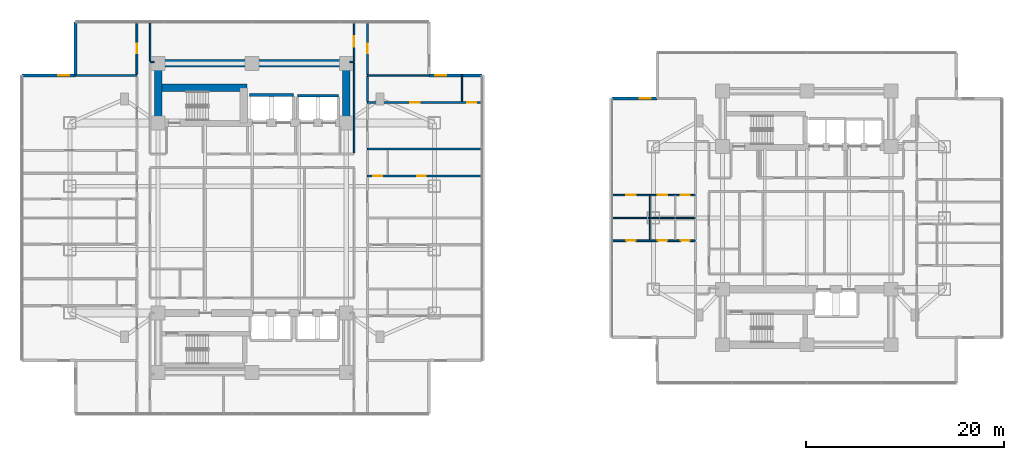
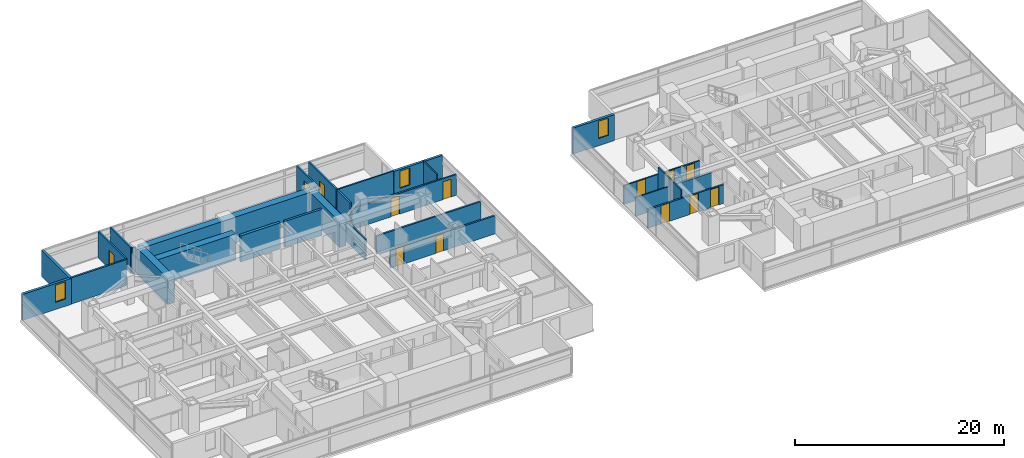
# One storey, part 17 of 26: 29 walls, 13 doors, 3 windows, 16 openings.
"""IFC4 building model written with IfcOpenShell, lengths in metres."""

from ifc_helpers import new_model, si_unit, direction, frame, frame_2d, origin, place, context, subcontext, project, spatial, rectangle, extrude, material, layer, layer_set, type_object, element, fill, save


model = new_model("IFC4")

# Units and contexts
model_context = context("Model", 3, precision=1e-05, world=origin(), true_north=direction((0.0, 1.0)))
body_context = subcontext(model_context, "Body", "Model", "MODEL_VIEW")
ifc_project = project(units=[si_unit("LENGTHUNIT", "METRE"), si_unit("AREAUNIT", "SQUARE_METRE"), si_unit("VOLUMEUNIT", "CUBIC_METRE"), si_unit("PLANEANGLEUNIT", "RADIAN"), si_unit("MASSUNIT", "GRAM", prefix="KILO")], contexts=[model_context])

# Site, building, storey
site_placement = place(None, origin())
site = spatial("IfcSite", under=ifc_project, at=site_placement, CompositionType="ELEMENT")
building_placement = place(site_placement, origin())
building = spatial("IfcBuilding", under=site, at=building_placement, Name="Mirazonda Arch Towers", CompositionType="ELEMENT")
storey_placement = place(building_placement, frame((0.0, 0.0, 48.800048828125)))
storey = spatial("IfcBuildingStorey", under=building, at=storey_placement, Name="L13", CompositionType="ELEMENT", Elevation=48.800048828125)

# Walls
ifc_material_1 = material(Name="Concrete C60/75", Category="concrete")
ifc_layer_1 = layer(ifc_material_1, 0.75, Name="WALL-CORE-750")
ifc_layer_set_1 = layer_set([ifc_layer_1], Name="Concrete C60/75")
wall_type_1 = type_object("IfcWallType", Name="WALL-CORE-750", PredefinedType="SHEAR", material=ifc_layer_set_1)
wall_1_placement = place(storey_placement, frame((11.0, 43.60009765625, 0.0), z_axis=(0.0, 0.0, 1.0), x_axis=(1.0, 0.0, 0.0)))
element("IfcWall", 1, at=wall_1_placement, inside=storey, type_object=wall_type_1, Name="L13 T1N-N Core Shear Wall", PredefinedType="SHEAR", context=body_context, shape_type="SweptSolid", body=[
    extrude(rectangle(XDim=19.0, YDim=0.75, at=frame_2d((9.5, 0.0))), origin(), (0.0, 0.0, 1.0), 3.06005859375),
])
for number, where, z_axis, x_axis, name in (
    (2, (11.0, 37.60009765625, 0.0), (0.0, 0.0, 1.0), (0.0, 1.0, 0.0), "L13 T1N-W Core Shear Wall"),
    (3, (30.0, 37.60009765625, 0.0), (0.0, 0.0, 1.0), (0.0, 1.0, 0.0), "L13 T1N-E Core Shear Wall"),
):
    element("IfcWall", number, at=place(storey_placement, frame(where, z_axis=z_axis, x_axis=x_axis)), inside=storey, type_object=wall_type_1, Name=name, PredefinedType="SHEAR", context=body_context, shape_type="SweptSolid", body=[
        extrude(rectangle(XDim=6.0, YDim=0.75, at=frame_2d((3.0, 0.0))), origin(), (0.0, 0.0, 1.0), 3.06005859375),
    ])
wall_2_placement = place(storey_placement, frame((11.0, 41.14306640625, 0.0), z_axis=(0.0, 0.0, 1.0), x_axis=(1.0, 0.0, 0.0)))
element("IfcWall", 4, at=wall_2_placement, inside=storey, type_object=wall_type_1, Name="L13 T1N-STN Core Shear Wall", PredefinedType="SHEAR", context=body_context, shape_type="SweptSolid", body=[
    extrude(rectangle(XDim=9.0, YDim=0.75, at=frame_2d((4.5, 0.0))), origin(), (0.0, 0.0, 1.0), 3.06005859375),
])

# Wall, opening, window
ifc_material_2 = material(Name="Precast Concrete C40/50", Category="concrete")
ifc_layer_2 = layer(ifc_material_2, 0.280029296875, Name="WALL-EXT-WALL-280")
ifc_layer_set_2 = layer_set([ifc_layer_2], Name="Precast Concrete C40/50")
wall_type_2 = type_object("IfcWallType", Name="WALL-EXT-WALL-280", PredefinedType="SOLIDWALL", material=ifc_layer_set_2)
wall_3_placement = place(storey_placement, frame((2.659912109375, 42.384033203125, 0.0), z_axis=(0.0, 0.0, 1.0), x_axis=(-1.0, 0.0, 0.0)))
wall_3 = element("IfcWall", 5, at=wall_3_placement, inside=storey, type_object=wall_type_2, Name="L13 T1 Corner Notch Return Wall WL-L13-T1-CNW1", PredefinedType="SOLIDWALL", context=body_context, shape_type="SweptSolid", body=[
    extrude(rectangle(XDim=5.3798828125, YDim=0.280029296875, at=frame_2d((2.68994140625, 0.0))), origin(), (0.0, 0.0, 1.0), 3.0400390625),
])
opening_1_placement = place(wall_3_placement, frame((0.64990234375, 0.0, 0.85009765625)))
opening_1 = element("IfcOpeningElement", 6, at=opening_1_placement, cuts=wall_3, Name="Opening WN-108", PredefinedType="OPENING", context=body_context, shape_type="SweptSolid", body=[
    extrude(rectangle(XDim=1.10009765625, YDim=2.0, at=frame_2d((0.550048828125, 1.0))), frame((0.0, 0.14990234375, 0.0), z_axis=(0.0, -1.0, 0.0), x_axis=(1.0, 0.0, 0.0)), (0.0, 0.0, 1.0), 0.300048828125),
])
ifc_material_3 = material(Name="Insulated Low-E Solar Glass", Category="glass")
window_type = type_object("IfcWindowType", Name="WIN-NOTCH-1100x2000", PartitioningType="SINGLE_PANEL", PredefinedType="WINDOW", material=ifc_material_3)
window_1_placement = place(opening_1_placement, origin())
window_1 = element("IfcWindow", 7, at=window_1_placement, inside=storey, type_object=window_type, Name="L13 Punched Facade Window WN-L13-T1-CNW1", OverallHeight=2.0, OverallWidth=1.10009765625, PartitioningType="SINGLE_PANEL", PredefinedType="WINDOW", context=body_context, shape_type="SweptSolid", body=[
    extrude(rectangle(XDim=1.10009765625, YDim=2.0, at=frame_2d((0.550048828125, 1.0))), frame((0.0, 0.030029296875, 0.0), z_axis=(0.0, -1.0, 0.0), x_axis=(1.0, 0.0, 0.0)), (0.0, 0.0, 1.0), 0.06005859375),
])
fill(opening_1, window_1)

# Wall
wall_4_placement = place(storey_placement, frame((2.659912109375, 47.763916015625, 0.0), z_axis=(0.0, 0.0, 1.0), x_axis=(0.0, -1.0, 0.0)))
element("IfcWall", 8, at=wall_4_placement, inside=storey, type_object=wall_type_2, Name="L13 T1 Corner Notch Return Wall WL-L13-T1-CNW2", PredefinedType="SOLIDWALL", context=body_context, shape_type="SweptSolid", body=[
    extrude(rectangle(XDim=5.3798828125, YDim=0.280029296875, at=frame_2d((2.68994140625, 0.0))), origin(), (0.0, 0.0, 1.0), 3.0400390625),
])

# Wall, opening, window
wall_5_placement = place(storey_placement, frame((43.719970703125, 42.384033203125, 0.0), z_axis=(0.0, 0.0, 1.0), x_axis=(-1.0, 0.0, 0.0)))
wall_5 = element("IfcWall", 9, at=wall_5_placement, inside=storey, type_object=wall_type_2, Name="L13 T1 Corner Notch Return Wall WL-L13-T1-CNE2", PredefinedType="SOLIDWALL", context=body_context, shape_type="SweptSolid", body=[
    extrude(rectangle(XDim=5.3798828125, YDim=0.280029296875, at=frame_2d((2.68994140625, 0.0))), origin(), (0.0, 0.0, 1.0), 3.0400390625),
])
opening_2_placement = place(wall_5_placement, frame((3.6298828125, 0.0, 0.85009765625)))
opening_2 = element("IfcOpeningElement", 10, at=opening_2_placement, cuts=wall_5, Name="Opening WN-108", PredefinedType="OPENING", context=body_context, shape_type="SweptSolid", body=[
    extrude(rectangle(XDim=1.10009765625, YDim=2.0, at=frame_2d((0.550048828125, 1.0))), frame((0.0, 0.14990234375, 0.0), z_axis=(0.0, -1.0, 0.0), x_axis=(1.0, 0.0, 0.0)), (0.0, 0.0, 1.0), 0.300048828125),
])
window_2_placement = place(opening_2_placement, origin())
window_2 = element("IfcWindow", 11, at=window_2_placement, inside=storey, type_object=window_type, Name="L13 Punched Facade Window WN-L13-T1-CNE2", OverallHeight=2.0, OverallWidth=1.10009765625, PartitioningType="SINGLE_PANEL", PredefinedType="WINDOW", context=body_context, shape_type="SweptSolid", body=[
    extrude(rectangle(XDim=1.10009765625, YDim=2.0, at=frame_2d((0.550048828125, 1.0))), frame((0.0, 0.030029296875, 0.0), z_axis=(0.0, -1.0, 0.0), x_axis=(1.0, 0.0, 0.0)), (0.0, 0.0, 1.0), 0.06005859375),
])
fill(opening_2, window_2)

wall_6_placement = place(storey_placement, frame((61.39599609375, 40.06640625, 0.0), z_axis=(0.0, 0.0, 1.0), x_axis=(-1.0, 0.0, 0.0)))
wall_6 = element("IfcWall", 12, at=wall_6_placement, inside=storey, type_object=wall_type_2, Name="L13 T2 Corner Notch Return Wall WL-L13-T2-CNW1", PredefinedType="SOLIDWALL", context=body_context, shape_type="SweptSolid", body=[
    extrude(rectangle(XDim=4.580078125, YDim=0.280029296875, at=frame_2d((2.2900390625, 0.0))), origin(), (0.0, 0.0, 1.0), 3.0400390625),
])
opening_3_placement = place(wall_6_placement, frame((0.64990234375, 0.0, 0.85009765625)))
opening_3 = element("IfcOpeningElement", 13, at=opening_3_placement, cuts=wall_6, Name="Opening WN-108", PredefinedType="OPENING", context=body_context, shape_type="SweptSolid", body=[
    extrude(rectangle(XDim=1.10009765625, YDim=2.0, at=frame_2d((0.550048828125, 1.0))), frame((0.0, 0.14990234375, 0.0), z_axis=(0.0, -1.0, 0.0), x_axis=(1.0, 0.0, 0.0)), (0.0, 0.0, 1.0), 0.300048828125),
])
window_3_placement = place(opening_3_placement, origin())
window_3 = element("IfcWindow", 14, at=window_3_placement, inside=storey, type_object=window_type, Name="L13 Punched Facade Window WN-L13-T2-CNW1", OverallHeight=2.0, OverallWidth=1.10009765625, PartitioningType="SINGLE_PANEL", PredefinedType="WINDOW", context=body_context, shape_type="SweptSolid", body=[
    extrude(rectangle(XDim=1.10009765625, YDim=2.0, at=frame_2d((0.550048828125, 1.0))), frame((0.0, 0.030029296875, 0.0), z_axis=(0.0, -1.0, 0.0), x_axis=(1.0, 0.0, 0.0)), (0.0, 0.0, 1.0), 0.06005859375),
])
fill(opening_3, window_3)

# Wall, openings, doors
ifc_material_4 = material(Name="Fire-Rated Gypsum Stud Partition")
ifc_layer_3 = layer(ifc_material_4, 0.14990234375, Name="WALL-PART-CORR-150")
ifc_layer_set_3 = layer_set([ifc_layer_3], Name="Fire-Rated Gypsum Stud Partition")
wall_type_3 = type_object("IfcWallType", Name="WALL-PART-CORR-150", PredefinedType="PARTITIONING", material=ifc_layer_set_3)
wall_7_placement = place(storey_placement, frame((56.81591796875, 30.300048828125, 0.0), z_axis=(0.0, 0.0, 1.0), x_axis=(1.0, 0.0, 0.0)))
wall_7 = element("IfcWall", 15, at=wall_7_placement, inside=storey, type_object=wall_type_3, Name="L13 Interior Partition 038", PredefinedType="PARTITIONING", context=body_context, shape_type="SweptSolid", body=[
    extrude(rectangle(XDim=8.43408203125, YDim=0.14990234375, at=frame_2d((4.217041015625, 0.0))), origin(), (0.0, 0.0, 1.0), 2.196044921875),
])
opening_4_placement = place(wall_7_placement, frame((1.462890625, 0.0, 0.0)))
opening_4 = element("IfcOpeningElement", 16, at=opening_4_placement, cuts=wall_7, Name="Opening DR-104", PredefinedType="OPENING", context=body_context, shape_type="SweptSolid", body=[
    extrude(rectangle(XDim=0.949951171875, YDim=2.14990234375, at=frame_2d((0.47509765625, 1.074951171875))), frame((0.0, 0.0849609375, 0.0), z_axis=(0.0, -1.0, 0.0), x_axis=(1.0, 0.0, 0.0)), (0.0, 0.0, 1.0), 0.169921875),
])
opening_5_placement = place(wall_7_placement, frame((4.639892578125, 0.0, 0.0)))
opening_5 = element("IfcOpeningElement", 17, at=opening_5_placement, cuts=wall_7, Name="Opening DR-104", PredefinedType="OPENING", context=body_context, shape_type="SweptSolid", body=[
    extrude(rectangle(XDim=0.949951171875, YDim=2.14990234375, at=frame_2d((0.47509765625, 1.074951171875))), frame((0.0, 0.0849609375, 0.0), z_axis=(0.0, -1.0, 0.0), x_axis=(1.0, 0.0, 0.0)), (0.0, 0.0, 1.0), 0.169921875),
])
opening_6_placement = place(wall_7_placement, frame((6.944091796875, 0.0, 0.0)))
opening_6 = element("IfcOpeningElement", 18, at=opening_6_placement, cuts=wall_7, Name="Opening DR-120", PredefinedType="OPENING", context=body_context, shape_type="SweptSolid", body=[
    extrude(rectangle(XDim=0.89990234375, YDim=2.10009765625, at=frame_2d((0.449951171875, 1.050048828125))), frame((0.0, 0.0849609375, 0.0), z_axis=(0.0, -1.0, 0.0), x_axis=(1.0, 0.0, 0.0)), (0.0, 0.0, 1.0), 0.169921875),
])
ifc_material_5 = material(Name="Architectural Brushed Steel S355", Category="steel")
door_type_1 = type_object("IfcDoorType", Name="DOOR-ROOM-950", OperationType="NOTDEFINED", PredefinedType="DOOR", material=ifc_material_5)
door_1_placement = place(opening_4_placement, origin())
door_1 = element("IfcDoor", 19, at=door_1_placement, inside=storey, type_object=door_type_1, Name="L13 Residence 2 Principal Bedroom Door", OperationType="SINGLE_SWING_LEFT", OverallHeight=2.14990234375, OverallWidth=0.949951171875, PredefinedType="DOOR", context=body_context, shape_type="SweptSolid", body=[
    extrude(rectangle(XDim=0.949951171875, YDim=2.14990234375, at=frame_2d((0.47509765625, 1.074951171875))), frame((0.0, 0.02490234375, 0.0), z_axis=(0.0, -1.0, 0.0), x_axis=(1.0, 0.0, 0.0)), (0.0, 0.0, 1.0), 0.050048828125),
])
fill(opening_4, door_1)
door_2_placement = place(opening_5_placement, origin())
door_2 = element("IfcDoor", 20, at=door_2_placement, inside=storey, type_object=door_type_1, Name="L13 Residence 2 Fitted Kitchen Door", OperationType="SINGLE_SWING_RIGHT", OverallHeight=2.14990234375, OverallWidth=0.949951171875, PredefinedType="DOOR", context=body_context, shape_type="SweptSolid", body=[
    extrude(rectangle(XDim=0.949951171875, YDim=2.14990234375, at=frame_2d((0.47509765625, 1.074951171875))), frame((0.0, 0.02490234375, 0.0), z_axis=(0.0, -1.0, 0.0), x_axis=(1.0, 0.0, 0.0)), (0.0, 0.0, 1.0), 0.050048828125),
])
fill(opening_5, door_2)
door_type_2 = type_object("IfcDoorType", Name="DOOR-WC-900", OperationType="NOTDEFINED", PredefinedType="DOOR", material=ifc_material_5)
door_3_placement = place(opening_6_placement, origin())
door_3 = element("IfcDoor", 21, at=door_3_placement, inside=storey, type_object=door_type_2, Name="L13 Residence 2 Bathroom Door", OperationType="SINGLE_SWING_LEFT", OverallHeight=2.10009765625, OverallWidth=0.89990234375, PredefinedType="DOOR", context=body_context, shape_type="SweptSolid", body=[
    extrude(rectangle(XDim=0.89990234375, YDim=2.10009765625, at=frame_2d((0.449951171875, 1.050048828125))), frame((0.0, 0.02490234375, 0.0), z_axis=(0.0, -1.0, 0.0), x_axis=(1.0, 0.0, 0.0)), (0.0, 0.0, 1.0), 0.050048828125),
])
fill(opening_6, door_3)

# Walls
wall_8_placement = place(storey_placement, frame((32.139892578125, 42.384033203125, 0.0), z_axis=(0.0, 0.0, 1.0), x_axis=(1.0, 0.0, 0.0)))
element("IfcWall", 22, at=wall_8_placement, inside=storey, type_object=wall_type_3, Name="L13 Interior Partition 062", PredefinedType="PARTITIONING", context=body_context, shape_type="SweptSolid", body=[
    extrude(rectangle(XDim=6.18017578125, YDim=0.14990234375, at=frame_2d((3.090087890625, 0.0))), origin(), (0.0, 0.0, 1.0), 3.06005859375),
])
for number, where, z_axis, x_axis, name in (
    (23, (10.199951171875, 43.75, 0.0), (0.0, 0.0, 1.0), (1.0, 0.0, 0.0), "L13 Interior Partition 063"),
    (24, (30.3701171875, 43.75, 0.0), (0.0, 0.0, 1.0), (1.0, 0.0, 0.0), "L13 Interior Partition 064"),
):
    element("IfcWall", number, at=place(storey_placement, frame(where, z_axis=z_axis, x_axis=x_axis)), inside=storey, type_object=wall_type_3, Name=name, PredefinedType="PARTITIONING", context=body_context, shape_type="SweptSolid", body=[
        extrude(rectangle(XDim=0.429931640625, YDim=0.14990234375, at=frame_2d((0.21484375, 0.0))), origin(), (0.0, 0.0, 1.0), 3.06005859375),
    ])
wall_9_placement = place(storey_placement, frame((10.199951171875, 43.8349609375, 0.0), z_axis=(0.0, 0.0, 1.0), x_axis=(0.0, 1.0, 0.0)))
element("IfcWall", 25, at=wall_9_placement, inside=storey, type_object=wall_type_3, Name="L13 Interior Partition 084", PredefinedType="PARTITIONING", context=body_context, shape_type="SweptSolid", body=[
    extrude(rectangle(XDim=3.928955078125, YDim=0.14990234375, at=frame_2d((1.96435546875, 0.0))), origin(), (0.0, 0.0, 1.0), 3.06005859375),
])
wall_10_placement = place(storey_placement, frame((30.800048828125, 34.570068359375, 0.0), z_axis=(0.0, 0.0, 1.0), x_axis=(0.0, 1.0, 0.0)))
element("IfcWall", 26, at=wall_10_placement, inside=storey, type_object=wall_type_3, Name="L13 Interior Partition 108", PredefinedType="PARTITIONING", context=body_context, shape_type="SweptSolid", body=[
    extrude(rectangle(XDim=9.094970703125, YDim=0.14990234375, at=frame_2d((4.54736328125, 0.0))), origin(), (0.0, 0.0, 1.0), 2.43603515625),
])

# Wall, opening, door
wall_11_placement = place(storey_placement, frame((30.800048828125, 43.8349609375, 0.0), z_axis=(0.0, 0.0, 1.0), x_axis=(0.0, 1.0, 0.0)))
wall_11 = element("IfcWall", 27, at=wall_11_placement, inside=storey, type_object=wall_type_3, Name="L13 Interior Partition 109", PredefinedType="PARTITIONING", context=body_context, shape_type="SweptSolid", body=[
    extrude(rectangle(XDim=3.928955078125, YDim=0.14990234375, at=frame_2d((1.96435546875, 0.0))), origin(), (0.0, 0.0, 1.0), 3.06005859375),
])
opening_7_placement = place(wall_11_placement, frame((1.439453125, 0.0, 0.0)))
opening_7 = element("IfcOpeningElement", 28, at=opening_7_placement, cuts=wall_11, Name="Opening DR-121", PredefinedType="OPENING", context=body_context, shape_type="SweptSolid", body=[
    extrude(rectangle(XDim=1.050048828125, YDim=2.199951171875, at=frame_2d((0.52490234375, 1.10009765625))), frame((0.0, 0.0849609375, 0.0), z_axis=(0.0, -1.0, 0.0), x_axis=(1.0, 0.0, 0.0)), (0.0, 0.0, 1.0), 0.169921875),
])
door_type_3 = type_object("IfcDoorType", Name="DOOR-SUITE-FD60-1050", OperationType="NOTDEFINED", PredefinedType="DOOR", material=ifc_material_5)
door_4_placement = place(opening_7_placement, origin())
door_4 = element("IfcDoor", 29, at=door_4_placement, inside=storey, type_object=door_type_3, Name="L13 North Reading Salon Suite Door", OperationType="SINGLE_SWING_LEFT", OverallHeight=2.199951171875, OverallWidth=1.050048828125, PredefinedType="DOOR", context=body_context, shape_type="SweptSolid", body=[
    extrude(rectangle(XDim=1.050048828125, YDim=2.199951171875, at=frame_2d((0.52490234375, 1.10009765625))), frame((0.0, 0.02490234375, 0.0), z_axis=(0.0, -1.0, 0.0), x_axis=(1.0, 0.0, 0.0)), (0.0, 0.0, 1.0), 0.050048828125),
])
fill(opening_7, door_4)

# Wall, openings, doors
ifc_material_6 = material(Name="Fire-Rated Gypsum Twin-Stud Assembly")
ifc_layer_4 = layer(ifc_material_6, 0.179931640625, Name="WALL-PART-DEMISE-180")
ifc_layer_set_4 = layer_set([ifc_layer_4], Name="Fire-Rated Gypsum Twin-Stud Assembly")
wall_type_4 = type_object("IfcWallType", Name="WALL-PART-DEMISE-180", PredefinedType="PARTITIONING", material=ifc_layer_set_4)
wall_12_placement = place(storey_placement, frame((56.81591796875, 25.699951171875, 0.0), z_axis=(0.0, 0.0, 1.0), x_axis=(1.0, 0.0, 0.0)))
wall_12 = element("IfcWall", 30, at=wall_12_placement, inside=storey, type_object=wall_type_4, Name="L13 Interior Partition 031", PredefinedType="PARTITIONING", context=body_context, shape_type="SweptSolid", body=[
    extrude(rectangle(XDim=8.43408203125, YDim=0.179931640625, at=frame_2d((4.217041015625, 0.0))), origin(), (0.0, 0.0, 1.0), 2.196044921875),
])
opening_8_placement = place(wall_12_placement, frame((1.462890625, 0.0, 0.0)))
opening_8 = element("IfcOpeningElement", 31, at=opening_8_placement, cuts=wall_12, Name="Opening DR-104", PredefinedType="OPENING", context=body_context, shape_type="SweptSolid", body=[
    extrude(rectangle(XDim=0.949951171875, YDim=2.14990234375, at=frame_2d((0.47509765625, 1.074951171875))), frame((0.0, 0.099853515625, 0.0), z_axis=(0.0, -1.0, 0.0), x_axis=(1.0, 0.0, 0.0)), (0.0, 0.0, 1.0), 0.199951171875),
])
opening_9_placement = place(wall_12_placement, frame((4.639892578125, 0.0, 0.0)))
opening_9 = element("IfcOpeningElement", 32, at=opening_9_placement, cuts=wall_12, Name="Opening DR-104", PredefinedType="OPENING", context=body_context, shape_type="SweptSolid", body=[
    extrude(rectangle(XDim=0.949951171875, YDim=2.14990234375, at=frame_2d((0.47509765625, 1.074951171875))), frame((0.0, 0.099853515625, 0.0), z_axis=(0.0, -1.0, 0.0), x_axis=(1.0, 0.0, 0.0)), (0.0, 0.0, 1.0), 0.199951171875),
])
opening_10_placement = place(wall_12_placement, frame((6.944091796875, 0.0, 0.0)))
opening_10 = element("IfcOpeningElement", 33, at=opening_10_placement, cuts=wall_12, Name="Opening DR-120", PredefinedType="OPENING", context=body_context, shape_type="SweptSolid", body=[
    extrude(rectangle(XDim=0.89990234375, YDim=2.10009765625, at=frame_2d((0.449951171875, 1.050048828125))), frame((0.0, 0.099853515625, 0.0), z_axis=(0.0, -1.0, 0.0), x_axis=(1.0, 0.0, 0.0)), (0.0, 0.0, 1.0), 0.199951171875),
])
door_5_placement = place(opening_8_placement, origin())
door_5 = element("IfcDoor", 34, at=door_5_placement, inside=storey, type_object=door_type_1, Name="L13 Residence 1 Principal Bedroom Door", OperationType="SINGLE_SWING_LEFT", OverallHeight=2.14990234375, OverallWidth=0.949951171875, PredefinedType="DOOR", context=body_context, shape_type="SweptSolid", body=[
    extrude(rectangle(XDim=0.949951171875, YDim=2.14990234375, at=frame_2d((0.47509765625, 1.074951171875))), frame((0.0, 0.02490234375, 0.0), z_axis=(0.0, -1.0, 0.0), x_axis=(1.0, 0.0, 0.0)), (0.0, 0.0, 1.0), 0.050048828125),
])
fill(opening_8, door_5)
door_6_placement = place(opening_9_placement, origin())
door_6 = element("IfcDoor", 35, at=door_6_placement, inside=storey, type_object=door_type_1, Name="L13 Residence 1 Fitted Kitchen Door", OperationType="SINGLE_SWING_RIGHT", OverallHeight=2.14990234375, OverallWidth=0.949951171875, PredefinedType="DOOR", context=body_context, shape_type="SweptSolid", body=[
    extrude(rectangle(XDim=0.949951171875, YDim=2.14990234375, at=frame_2d((0.47509765625, 1.074951171875))), frame((0.0, 0.02490234375, 0.0), z_axis=(0.0, -1.0, 0.0), x_axis=(1.0, 0.0, 0.0)), (0.0, 0.0, 1.0), 0.050048828125),
])
fill(opening_9, door_6)
door_7_placement = place(opening_10_placement, origin())
door_7 = element("IfcDoor", 36, at=door_7_placement, inside=storey, type_object=door_type_2, Name="L13 Residence 1 Bathroom Door", OperationType="SINGLE_SWING_LEFT", OverallHeight=2.10009765625, OverallWidth=0.89990234375, PredefinedType="DOOR", context=body_context, shape_type="SweptSolid", body=[
    extrude(rectangle(XDim=0.89990234375, YDim=2.10009765625, at=frame_2d((0.449951171875, 1.050048828125))), frame((0.0, 0.02490234375, 0.0), z_axis=(0.0, -1.0, 0.0), x_axis=(1.0, 0.0, 0.0)), (0.0, 0.0, 1.0), 0.050048828125),
])
fill(opening_10, door_7)

wall_13_placement = place(storey_placement, frame((32.139892578125, 32.239013671875, 0.0), z_axis=(0.0, 0.0, 1.0), x_axis=(1.0, 0.0, 0.0)))
wall_13 = element("IfcWall", 37, at=wall_13_placement, inside=storey, type_object=wall_type_4, Name="L13 Interior Partition 043", PredefinedType="PARTITIONING", context=body_context, shape_type="SweptSolid", body=[
    extrude(rectangle(XDim=11.580078125, YDim=0.179931640625, at=frame_2d((5.7900390625, 0.0))), origin(), (0.0, 0.0, 1.0), 2.125),
])
opening_11_placement = place(wall_13_placement, frame((5.014892578125, 0.0, 0.0)))
opening_11 = element("IfcOpeningElement", 38, at=opening_11_placement, cuts=wall_13, Name="Opening DR-128", PredefinedType="OPENING", context=body_context, shape_type="SweptSolid", body=[
    extrude(rectangle(XDim=0.85009765625, YDim=2.010009765625, at=frame_2d((0.425048828125, 1.0048828125))), frame((0.0, 0.099853515625, 0.0), z_axis=(0.0, -1.0, 0.0), x_axis=(1.0, 0.0, 0.0)), (0.0, 0.0, 1.0), 0.199951171875),
])
opening_12_placement = place(wall_13_placement, frame((0.590087890625, 0.0, 0.0)))
opening_12 = element("IfcOpeningElement", 39, at=opening_12_placement, cuts=wall_13, Name="Opening DR-120", PredefinedType="OPENING", context=body_context, shape_type="SweptSolid", body=[
    extrude(rectangle(XDim=0.89990234375, YDim=2.10009765625, at=frame_2d((0.449951171875, 1.050048828125))), frame((0.0, 0.099853515625, 0.0), z_axis=(0.0, -1.0, 0.0), x_axis=(1.0, 0.0, 0.0)), (0.0, 0.0, 1.0), 0.199951171875),
])
door_type_4 = type_object("IfcDoorType", Name="DOOR-RISER-FD60-850", OperationType="NOTDEFINED", PredefinedType="DOOR", material=ifc_material_5)
door_8_placement = place(opening_11_placement, origin())
door_8 = element("IfcDoor", 40, at=door_8_placement, inside=storey, type_object=door_type_4, Name="L13 Guestroom Study 3 Door", OperationType="SINGLE_SWING_LEFT", OverallHeight=2.010009765625, OverallWidth=0.85009765625, PredefinedType="DOOR", context=body_context, shape_type="SweptSolid", body=[
    extrude(rectangle(XDim=0.85009765625, YDim=2.010009765625, at=frame_2d((0.425048828125, 1.0048828125))), frame((0.0, 0.02490234375, 0.0), z_axis=(0.0, -1.0, 0.0), x_axis=(1.0, 0.0, 0.0)), (0.0, 0.0, 1.0), 0.050048828125),
])
fill(opening_11, door_8)
door_9_placement = place(opening_12_placement, origin())
door_9 = element("IfcDoor", 41, at=door_9_placement, inside=storey, type_object=door_type_2, Name="L13 En-Suite Bathroom 3 Door", OperationType="SINGLE_SWING_RIGHT", OverallHeight=2.10009765625, OverallWidth=0.89990234375, PredefinedType="DOOR", context=body_context, shape_type="SweptSolid", body=[
    extrude(rectangle(XDim=0.89990234375, YDim=2.10009765625, at=frame_2d((0.449951171875, 1.050048828125))), frame((0.0, 0.02490234375, 0.0), z_axis=(0.0, -1.0, 0.0), x_axis=(1.0, 0.0, 0.0)), (0.0, 0.0, 1.0), 0.050048828125),
])
fill(opening_12, door_9)

# Wall
wall_14_placement = place(storey_placement, frame((32.139892578125, 34.958984375, 0.0), z_axis=(0.0, 0.0, 1.0), x_axis=(1.0, 0.0, 0.0)))
element("IfcWall", 42, at=wall_14_placement, inside=storey, type_object=wall_type_4, Name="L13 Interior Partition 049", PredefinedType="PARTITIONING", context=body_context, shape_type="SweptSolid", body=[
    extrude(rectangle(XDim=11.580078125, YDim=0.179931640625, at=frame_2d((5.7900390625, 0.0))), origin(), (0.0, 0.0, 1.0), 2.125),
])

# Wall, openings, doors
wall_15_placement = place(storey_placement, frame((32.139892578125, 39.6640625, 0.0), z_axis=(0.0, 0.0, 1.0), x_axis=(1.0, 0.0, 0.0)))
wall_15 = element("IfcWall", 43, at=wall_15_placement, inside=storey, type_object=wall_type_4, Name="L13 Interior Partition 056", PredefinedType="PARTITIONING", context=body_context, shape_type="SweptSolid", body=[
    extrude(rectangle(XDim=11.580078125, YDim=0.179931640625, at=frame_2d((5.7900390625, 0.0))), origin(), (0.0, 0.0, 1.0), 2.43603515625),
])
opening_13_placement = place(wall_15_placement, frame((4.31494140625, 0.0, 0.0)))
opening_13 = element("IfcOpeningElement", 44, at=opening_13_placement, cuts=wall_15, Name="Opening DR-104", PredefinedType="OPENING", context=body_context, shape_type="SweptSolid", body=[
    extrude(rectangle(XDim=0.949951171875, YDim=2.14990234375, at=frame_2d((0.47509765625, 1.074951171875))), frame((0.0, 0.099853515625, 0.0), z_axis=(0.0, -1.0, 0.0), x_axis=(1.0, 0.0, 0.0)), (0.0, 0.0, 1.0), 0.199951171875),
])
opening_14_placement = place(wall_15_placement, frame((10.090087890625, 0.0, 0.0)))
opening_14 = element("IfcOpeningElement", 45, at=opening_14_placement, cuts=wall_15, Name="Opening DR-120", PredefinedType="OPENING", context=body_context, shape_type="SweptSolid", body=[
    extrude(rectangle(XDim=0.89990234375, YDim=2.10009765625, at=frame_2d((0.449951171875, 1.050048828125))), frame((0.0, 0.099853515625, 0.0), z_axis=(0.0, -1.0, 0.0), x_axis=(1.0, 0.0, 0.0)), (0.0, 0.0, 1.0), 0.199951171875),
])
door_10_placement = place(opening_13_placement, origin())
door_10 = element("IfcDoor", 46, at=door_10_placement, inside=storey, type_object=door_type_1, Name="L13 Guestroom Study 4 Door", OperationType="SINGLE_SWING_RIGHT", OverallHeight=2.14990234375, OverallWidth=0.949951171875, PredefinedType="DOOR", context=body_context, shape_type="SweptSolid", body=[
    extrude(rectangle(XDim=0.949951171875, YDim=2.14990234375, at=frame_2d((0.47509765625, 1.074951171875))), frame((0.0, 0.02490234375, 0.0), z_axis=(0.0, -1.0, 0.0), x_axis=(1.0, 0.0, 0.0)), (0.0, 0.0, 1.0), 0.050048828125),
])
fill(opening_13, door_10)
door_11_placement = place(opening_14_placement, origin())
door_11 = element("IfcDoor", 47, at=door_11_placement, inside=storey, type_object=door_type_2, Name="L13 En-Suite Bathroom 4 Door", OperationType="SINGLE_SWING_LEFT", OverallHeight=2.10009765625, OverallWidth=0.89990234375, PredefinedType="DOOR", context=body_context, shape_type="SweptSolid", body=[
    extrude(rectangle(XDim=0.89990234375, YDim=2.10009765625, at=frame_2d((0.449951171875, 1.050048828125))), frame((0.0, 0.02490234375, 0.0), z_axis=(0.0, -1.0, 0.0), x_axis=(1.0, 0.0, 0.0)), (0.0, 0.0, 1.0), 0.050048828125),
])
fill(opening_14, door_11)

# Wall
wall_16_placement = place(storey_placement, frame((2.679931640625, 42.384033203125, 0.0), z_axis=(0.0, 0.0, 1.0), x_axis=(1.0, 0.0, 0.0)))
element("IfcWall", 48, at=wall_16_placement, inside=storey, type_object=wall_type_4, Name="L13 Interior Partition 061", PredefinedType="PARTITIONING", context=body_context, shape_type="SweptSolid", body=[
    extrude(rectangle(XDim=6.18017578125, YDim=0.179931640625, at=frame_2d((3.090087890625, 0.0))), origin(), (0.0, 0.0, 1.0), 3.06005859375),
])

# Wall, opening, door
wall_17_placement = place(storey_placement, frame((8.860107421875, 42.48388671875, 0.0), z_axis=(0.0, 0.0, 1.0), x_axis=(0.0, 1.0, 0.0)))
wall_17 = element("IfcWall", 49, at=wall_17_placement, inside=storey, type_object=wall_type_4, Name="L13 Interior Partition 078", PredefinedType="PARTITIONING", context=body_context, shape_type="SweptSolid", body=[
    extrude(rectangle(XDim=5.280029296875, YDim=0.179931640625, at=frame_2d((2.64013671875, 0.0))), origin(), (0.0, 0.0, 1.0), 3.06005859375),
])
opening_15_placement = place(wall_17_placement, frame((2.1650390625, 0.0, 0.0)))
opening_15 = element("IfcOpeningElement", 50, at=opening_15_placement, cuts=wall_17, Name="Opening DR-104", PredefinedType="OPENING", context=body_context, shape_type="SweptSolid", body=[
    extrude(rectangle(XDim=0.949951171875, YDim=2.14990234375, at=frame_2d((0.47509765625, 1.074951171875))), frame((0.0, 0.099853515625, 0.0), z_axis=(0.0, -1.0, 0.0), x_axis=(1.0, 0.0, 0.0)), (0.0, 0.0, 1.0), 0.199951171875),
])
door_12_placement = place(opening_15_placement, origin())
door_12 = element("IfcDoor", 51, at=door_12_placement, inside=storey, type_object=door_type_1, Name="L13 North Reading Salon Alcove West Door", OperationType="SINGLE_SWING_RIGHT", OverallHeight=2.14990234375, OverallWidth=0.949951171875, PredefinedType="DOOR", context=body_context, shape_type="SweptSolid", body=[
    extrude(rectangle(XDim=0.949951171875, YDim=2.14990234375, at=frame_2d((0.47509765625, 1.074951171875))), frame((0.0, 0.02490234375, 0.0), z_axis=(0.0, -1.0, 0.0), x_axis=(1.0, 0.0, 0.0)), (0.0, 0.0, 1.0), 0.050048828125),
])
fill(opening_15, door_12)

# Wall
wall_18_placement = place(storey_placement, frame((32.139892578125, 39.763916015625, 0.0), z_axis=(0.0, 0.0, 1.0), x_axis=(0.0, 1.0, 0.0)))
element("IfcWall", 52, at=wall_18_placement, inside=storey, type_object=wall_type_4, Name="L13 Interior Partition 118", PredefinedType="PARTITIONING", context=body_context, shape_type="SweptSolid", body=[
    extrude(rectangle(XDim=2.53515625, YDim=0.179931640625, at=frame_2d((1.267578125, 0.0))), origin(), (0.0, 0.0, 1.0), 3.06005859375),
])

# Wall, opening, door
wall_19_placement = place(storey_placement, frame((32.139892578125, 42.468994140625, 0.0), z_axis=(0.0, 0.0, 1.0), x_axis=(0.0, 1.0, 0.0)))
wall_19 = element("IfcWall", 53, at=wall_19_placement, inside=storey, type_object=wall_type_4, Name="L13 Interior Partition 119", PredefinedType="PARTITIONING", context=body_context, shape_type="SweptSolid", body=[
    extrude(rectangle(XDim=5.294921875, YDim=0.179931640625, at=frame_2d((2.6474609375, 0.0))), origin(), (0.0, 0.0, 1.0), 3.06005859375),
])
opening_16_placement = place(wall_19_placement, frame((2.172607421875, 0.0, 0.0)))
opening_16 = element("IfcOpeningElement", 54, at=opening_16_placement, cuts=wall_19, Name="Opening DR-104", PredefinedType="OPENING", context=body_context, shape_type="SweptSolid", body=[
    extrude(rectangle(XDim=0.949951171875, YDim=2.14990234375, at=frame_2d((0.47509765625, 1.074951171875))), frame((0.0, 0.099853515625, 0.0), z_axis=(0.0, -1.0, 0.0), x_axis=(1.0, 0.0, 0.0)), (0.0, 0.0, 1.0), 0.199951171875),
])
door_13_placement = place(opening_16_placement, origin())
door_13 = element("IfcDoor", 55, at=door_13_placement, inside=storey, type_object=door_type_1, Name="L13 North Reading Salon Alcove East Door", OperationType="SINGLE_SWING_LEFT", OverallHeight=2.14990234375, OverallWidth=0.949951171875, PredefinedType="DOOR", context=body_context, shape_type="SweptSolid", body=[
    extrude(rectangle(XDim=0.949951171875, YDim=2.14990234375, at=frame_2d((0.47509765625, 1.074951171875))), frame((0.0, 0.02490234375, 0.0), z_axis=(0.0, -1.0, 0.0), x_axis=(1.0, 0.0, 0.0)), (0.0, 0.0, 1.0), 0.050048828125),
])
fill(opening_16, door_13)

# Walls
ifc_material_7 = material(Name="Acoustic Fire-Rated Gypsum Partition")
ifc_layer_5 = layer(ifc_material_7, 0.125, Name="WALL-PART-UNIT-125")
ifc_layer_set_5 = layer_set([ifc_layer_5], Name="Acoustic Fire-Rated Gypsum Partition")
wall_type_5 = type_object("IfcWallType", Name="WALL-PART-UNIT-125", PredefinedType="PARTITIONING", material=ifc_layer_set_5)
wall_20_placement = place(storey_placement, frame((56.81591796875, 28.0, 0.0), z_axis=(0.0, 0.0, 1.0), x_axis=(1.0, 0.0, 0.0)))
element("IfcWall", 56, at=wall_20_placement, inside=storey, type_object=wall_type_5, Name="L13 Interior Partition 035", PredefinedType="PARTITIONING", context=body_context, shape_type="SweptSolid", body=[
    extrude(rectangle(XDim=8.43408203125, YDim=0.125, at=frame_2d((4.217041015625, 0.0))), origin(), (0.0, 0.0, 1.0), 2.196044921875),
])
wall_21_placement = place(storey_placement, frame((41.679931640625, 39.763916015625, 0.0), z_axis=(0.0, 0.0, 1.0), x_axis=(0.0, 1.0, 0.0)))
element("IfcWall", 57, at=wall_21_placement, inside=storey, type_object=wall_type_5, Name="L13 Interior Partition 123", PredefinedType="PARTITIONING", context=body_context, shape_type="SweptSolid", body=[
    extrude(rectangle(XDim=2.6201171875, YDim=0.125, at=frame_2d((1.31005859375, 0.0))), origin(), (0.0, 0.0, 1.0), 3.06005859375),
])
wall_22_placement = place(storey_placement, frame((60.652099609375, 25.800048828125, 0.0), z_axis=(0.0, 0.0, 1.0), x_axis=(0.0, 1.0, 0.0)))
element("IfcWall", 58, at=wall_22_placement, inside=storey, type_object=wall_type_5, Name="L13 Interior Partition 124", PredefinedType="PARTITIONING", context=body_context, shape_type="SweptSolid", body=[
    extrude(rectangle(XDim=2.12744140625, YDim=0.125, at=frame_2d((1.063720703125, 0.0))), origin(), (0.0, 0.0, 1.0), 3.06005859375),
])
wall_23_placement = place(storey_placement, frame((60.652099609375, 28.072509765625, 0.0), z_axis=(0.0, 0.0, 1.0), x_axis=(0.0, 1.0, 0.0)))
element("IfcWall", 59, at=wall_23_placement, inside=storey, type_object=wall_type_5, Name="L13 Interior Partition 125", PredefinedType="PARTITIONING", context=body_context, shape_type="SweptSolid", body=[
    extrude(rectangle(XDim=2.142578125, YDim=0.125, at=frame_2d((1.0712890625, 0.0))), origin(), (0.0, 0.0, 1.0), 3.06005859375),
])
ifc_material_8 = material(Name="Concrete C40/50", Category="concrete")
ifc_layer_6 = layer(ifc_material_8, 0.25, Name="WALL-SHAFT-250")
ifc_layer_set_6 = layer_set([ifc_layer_6], Name="Concrete C40/50")
wall_type_6 = type_object("IfcWallType", Name="WALL-SHAFT-250", PredefinedType="SOLIDWALL", material=ifc_layer_set_6)
wall_24_placement = place(storey_placement, frame((25.10009765625, 40.35009765625, 0.0), z_axis=(0.0, 0.0, 1.0), x_axis=(1.0, 0.0, 0.0)))
element("IfcWall", 60, at=wall_24_placement, inside=storey, type_object=wall_type_6, Name="L13 Interior Partition 059", PredefinedType="SOLIDWALL", context=body_context, shape_type="SweptSolid", body=[
    extrude(rectangle(XDim=4.099853515625, YDim=0.25, at=frame_2d((2.0498046875, 0.0))), origin(), (0.0, 0.0, 1.0), 3.06005859375),
])
ifc_material_9 = material(Name="Concrete C50/60", Category="concrete")
ifc_layer_7 = layer(ifc_material_9, 0.300048828125, Name="WALL-SHAFT-300")
ifc_layer_set_7 = layer_set([ifc_layer_7], Name="Concrete C50/60")
wall_type_7 = type_object("IfcWallType", Name="WALL-SHAFT-300", PredefinedType="SOLIDWALL", material=ifc_layer_set_7)
wall_25_placement = place(storey_placement, frame((20.25, 40.39990234375, 0.0), z_axis=(0.0, 0.0, 1.0), x_axis=(1.0, 0.0, 0.0)))
element("IfcWall", 61, at=wall_25_placement, inside=storey, type_object=wall_type_7, Name="L13 Interior Partition 060", PredefinedType="SOLIDWALL", context=body_context, shape_type="SweptSolid", body=[
    extrude(rectangle(XDim=4.39990234375, YDim=0.300048828125, at=frame_2d((2.199951171875, 0.0))), origin(), (0.0, 0.0, 1.0), 3.06005859375),
])

save(model, "model.ifc")
